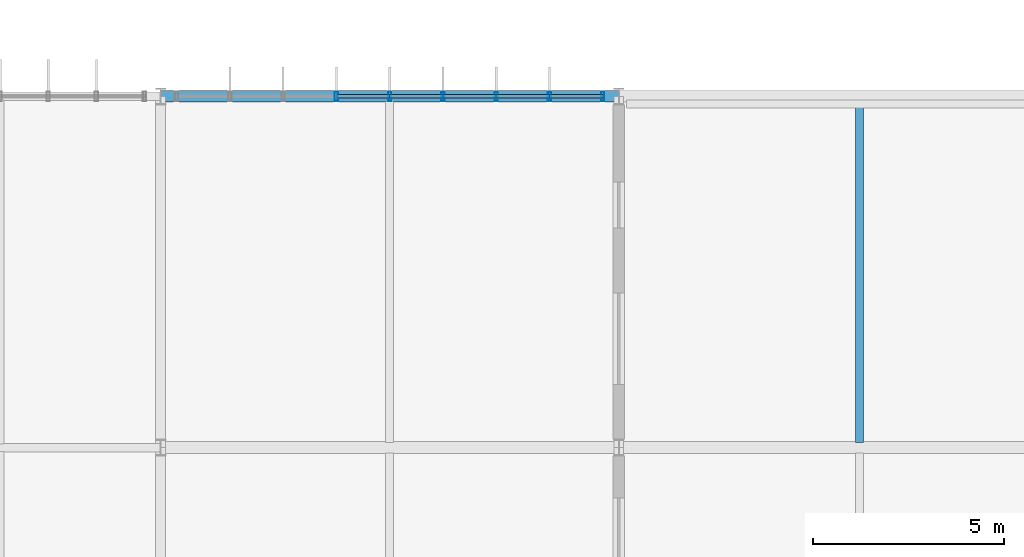
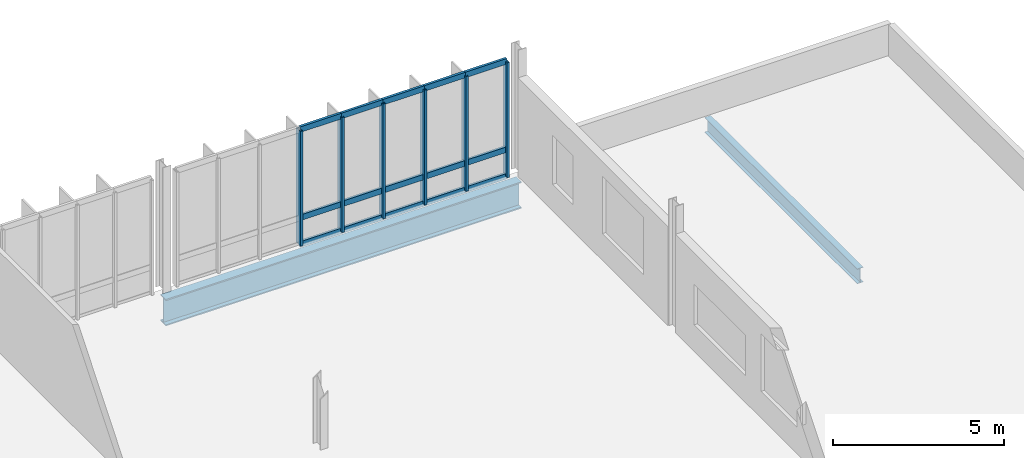
# One storey, part 81 of 139: 21 members, 2 beams, 1 element without a shape of its own.
"""IFC4 building model written with IfcOpenShell, lengths in metres."""

from ifc_helpers import new_model, si_unit, derived_unit, direction, frame, origin, origin_2d, place, context, subcontext, project, spatial, hollow_rectangle, i_section, extrude, material, layer, layer_set, material_profile, profile_set, type_object, element, aggregate, save


model = new_model("IFC4")

# Units and contexts
model_context = context("Model", 3, precision=1e-05, world=origin(), true_north=direction((0.0, 1.0)))
body_context = subcontext(model_context, "Body", "Model", "MODEL_VIEW")
ifc_project = project(units=[si_unit("LENGTHUNIT", "METRE"), si_unit("AREAUNIT", "SQUARE_METRE"), si_unit("VOLUMEUNIT", "CUBIC_METRE"), si_unit("PLANEANGLEUNIT", "RADIAN"), si_unit("MASSUNIT", "GRAM", prefix="KILO"), derived_unit("THERMALTRANSMITTANCEUNIT", [(si_unit("MASSUNIT", "GRAM", prefix="KILO"), 1), (si_unit("TIMEUNIT", "SECOND"), -3), (si_unit("THERMODYNAMICTEMPERATUREUNIT", "KELVIN"), -1)])], contexts=[model_context])

# Site, building, storey
site_placement = place(None, origin())
site = spatial("IfcSite", under=ifc_project, at=site_placement, CompositionType="ELEMENT")
building_placement = place(site_placement, origin())
building = spatial("IfcBuilding", under=site, at=building_placement, Name="Makaiwela Harbour Ferry Terminal", CompositionType="ELEMENT")
storey_placement = place(building_placement, frame((0.0, 0.0, 5.10009765625)))
storey = spatial("IfcBuildingStorey", under=building, at=storey_placement, Name="L01", CompositionType="ELEMENT", Elevation=5.10009765625)

# Curtain wall, members
ifc_material_1 = material(Name="Marine anodised aluminium 6063-T6", Category="aluminium")
ifc_layer = layer(ifc_material_1, 0.199951171875)
ifc_layer_set = layer_set([ifc_layer], Name="Marine anodised aluminium 6063-T6")
curtain_wall_type = type_object("IfcCurtainWallType", Name="ENV-CW-17", PredefinedType="USERDEFINED", material=ifc_layer_set)
curtain_wall_placement = place(storey_placement, origin())
curtain_wall = element("IfcCurtainWall", 1, at=curtain_wall_placement, inside=storey, type_object=curtain_wall_type, Name="Unitised Curtain Wall CWA-129", ObjectType="UNITIZED CURTAIN WALL", PredefinedType="USERDEFINED")
ifc_material_profile_1 = material_profile(ifc_material_1, hollow_rectangle(XDim=0.0849609375, YDim=0.25, WallThickness=0.0048828125, at=origin_2d()), Name="CWM-250X85")
ifc_profile_set_1 = profile_set([ifc_material_profile_1], Name="Marine anodised aluminium 6063-T6")
member_type_1 = type_object("IfcMemberType", Name="CW-MUL-250", PredefinedType="MULLION", material=ifc_profile_set_1)
member_1_placement = place(storey_placement, frame((160.0048828125, 95.0, 0.0), z_axis=(0.0, 0.0, 1.0), x_axis=(1.0, 0.0, 0.0)))
member_1 = element("IfcMember", 2, at=member_1_placement, type_object=member_type_1, Name="Curtain Wall Mullion CWA-129-4", PredefinedType="MULLION", context=body_context, shape_type="SweptSolid", body=[
    extrude(hollow_rectangle(XDim=0.0849609375, YDim=0.25, WallThickness=0.0048828125, at=origin_2d()), origin(), (0.0, 0.0, 1.0), 4.099853515625),
])
member_2_placement = place(storey_placement, frame((161.39990234375, 95.0, 0.0), z_axis=(0.0, 0.0, 1.0), x_axis=(1.0, 0.0, 0.0)))
member_2 = element("IfcMember", 3, at=member_2_placement, type_object=member_type_1, Name="Curtain Wall Mullion CWA-129-5", PredefinedType="MULLION", context=body_context, shape_type="SweptSolid", body=[
    extrude(hollow_rectangle(XDim=0.0849609375, YDim=0.25, WallThickness=0.0048828125, at=origin_2d()), origin(), (0.0, 0.0, 1.0), 4.099853515625),
])
member_3_placement = place(storey_placement, frame((162.794921875, 95.0, 0.0), z_axis=(0.0, 0.0, 1.0), x_axis=(1.0, 0.0, 0.0)))
member_3 = element("IfcMember", 4, at=member_3_placement, type_object=member_type_1, Name="Curtain Wall Mullion CWA-129-6", PredefinedType="MULLION", context=body_context, shape_type="SweptSolid", body=[
    extrude(hollow_rectangle(XDim=0.0849609375, YDim=0.25, WallThickness=0.0048828125, at=origin_2d()), origin(), (0.0, 0.0, 1.0), 4.099853515625),
])
member_4_placement = place(storey_placement, frame((164.18994140625, 95.0, 0.0), z_axis=(0.0, 0.0, 1.0), x_axis=(1.0, 0.0, 0.0)))
member_4 = element("IfcMember", 5, at=member_4_placement, type_object=member_type_1, Name="Curtain Wall Mullion CWA-129-7", PredefinedType="MULLION", context=body_context, shape_type="SweptSolid", body=[
    extrude(hollow_rectangle(XDim=0.0849609375, YDim=0.25, WallThickness=0.0048828125, at=origin_2d()), origin(), (0.0, 0.0, 1.0), 4.099853515625),
])
member_5_placement = place(storey_placement, frame((165.5849609375, 95.0, 0.0), z_axis=(0.0, 0.0, 1.0), x_axis=(1.0, 0.0, 0.0)))
member_5 = element("IfcMember", 6, at=member_5_placement, type_object=member_type_1, Name="Curtain Wall Mullion CWA-129-8", PredefinedType="MULLION", context=body_context, shape_type="SweptSolid", body=[
    extrude(hollow_rectangle(XDim=0.0849609375, YDim=0.25, WallThickness=0.0048828125, at=origin_2d()), origin(), (0.0, 0.0, 1.0), 4.099853515625),
])
member_6_placement = place(storey_placement, frame((166.97998046875, 95.0, 0.0), z_axis=(0.0, 0.0, 1.0), x_axis=(1.0, 0.0, 0.0)))
member_6 = element("IfcMember", 7, at=member_6_placement, type_object=member_type_1, Name="Curtain Wall Mullion CWA-129-9", PredefinedType="MULLION", context=body_context, shape_type="SweptSolid", body=[
    extrude(hollow_rectangle(XDim=0.0849609375, YDim=0.25, WallThickness=0.0048828125, at=origin_2d()), origin(), (0.0, 0.0, 1.0), 4.099853515625),
])
ifc_material_profile_2 = material_profile(ifc_material_1, hollow_rectangle(XDim=0.0849609375, YDim=0.199951171875, WallThickness=0.0048828125, at=origin_2d()), Name="CWT-200X85")
ifc_profile_set_2 = profile_set([ifc_material_profile_2], Name="Marine anodised aluminium 6063-T6")
member_type_2 = type_object("IfcMemberType", Name="CW-TRN-200", PredefinedType="USERDEFINED", material=ifc_profile_set_2)
member_7_placement = place(storey_placement, frame((160.0048828125, 95.0, 0.0), z_axis=(1.0, 0.0, 0.0), x_axis=(0.0, 1.0, 0.0)))
member_7 = element("IfcMember", 8, at=member_7_placement, type_object=member_type_2, Name="Curtain Wall Transom CWA-129-4-1", ObjectType="TRANSOM", PredefinedType="USERDEFINED", context=body_context, shape_type="SweptSolid", body=[
    extrude(hollow_rectangle(XDim=0.0849609375, YDim=0.199951171875, WallThickness=0.0048828125, at=origin_2d()), origin(), (0.0, 0.0, 1.0), 1.39501953125),
])
member_8_placement = place(storey_placement, frame((160.0048828125, 95.0, 0.949951171875), z_axis=(1.0, 0.0, 0.0), x_axis=(0.0, 1.0, 0.0)))
member_8 = element("IfcMember", 9, at=member_8_placement, type_object=member_type_2, Name="Curtain Wall Transom CWA-129-4-2", ObjectType="TRANSOM", PredefinedType="USERDEFINED", context=body_context, shape_type="SweptSolid", body=[
    extrude(hollow_rectangle(XDim=0.0849609375, YDim=0.199951171875, WallThickness=0.0048828125, at=origin_2d()), origin(), (0.0, 0.0, 1.0), 1.39501953125),
])
member_9_placement = place(storey_placement, frame((160.0048828125, 95.0, 4.099853515625), z_axis=(1.0, 0.0, 0.0), x_axis=(0.0, 1.0, 0.0)))
member_9 = element("IfcMember", 10, at=member_9_placement, type_object=member_type_2, Name="Curtain Wall Transom CWA-129-4-3", ObjectType="TRANSOM", PredefinedType="USERDEFINED", context=body_context, shape_type="SweptSolid", body=[
    extrude(hollow_rectangle(XDim=0.0849609375, YDim=0.199951171875, WallThickness=0.0048828125, at=origin_2d()), origin(), (0.0, 0.0, 1.0), 1.39501953125),
])
member_10_placement = place(storey_placement, frame((161.39990234375, 95.0, 0.0), z_axis=(1.0, 0.0, 0.0), x_axis=(0.0, 1.0, 0.0)))
member_10 = element("IfcMember", 11, at=member_10_placement, type_object=member_type_2, Name="Curtain Wall Transom CWA-129-5-1", ObjectType="TRANSOM", PredefinedType="USERDEFINED", context=body_context, shape_type="SweptSolid", body=[
    extrude(hollow_rectangle(XDim=0.0849609375, YDim=0.199951171875, WallThickness=0.0048828125, at=origin_2d()), origin(), (0.0, 0.0, 1.0), 1.39501953125),
])
member_11_placement = place(storey_placement, frame((161.39990234375, 95.0, 0.949951171875), z_axis=(1.0, 0.0, 0.0), x_axis=(0.0, 1.0, 0.0)))
member_11 = element("IfcMember", 12, at=member_11_placement, type_object=member_type_2, Name="Curtain Wall Transom CWA-129-5-2", ObjectType="TRANSOM", PredefinedType="USERDEFINED", context=body_context, shape_type="SweptSolid", body=[
    extrude(hollow_rectangle(XDim=0.0849609375, YDim=0.199951171875, WallThickness=0.0048828125, at=origin_2d()), origin(), (0.0, 0.0, 1.0), 1.39501953125),
])
member_12_placement = place(storey_placement, frame((161.39990234375, 95.0, 4.099853515625), z_axis=(1.0, 0.0, 0.0), x_axis=(0.0, 1.0, 0.0)))
member_12 = element("IfcMember", 13, at=member_12_placement, type_object=member_type_2, Name="Curtain Wall Transom CWA-129-5-3", ObjectType="TRANSOM", PredefinedType="USERDEFINED", context=body_context, shape_type="SweptSolid", body=[
    extrude(hollow_rectangle(XDim=0.0849609375, YDim=0.199951171875, WallThickness=0.0048828125, at=origin_2d()), origin(), (0.0, 0.0, 1.0), 1.39501953125),
])
member_13_placement = place(storey_placement, frame((162.794921875, 95.0, 0.0), z_axis=(1.0, 0.0, 0.0), x_axis=(0.0, 1.0, 0.0)))
member_13 = element("IfcMember", 14, at=member_13_placement, type_object=member_type_2, Name="Curtain Wall Transom CWA-129-6-1", ObjectType="TRANSOM", PredefinedType="USERDEFINED", context=body_context, shape_type="SweptSolid", body=[
    extrude(hollow_rectangle(XDim=0.0849609375, YDim=0.199951171875, WallThickness=0.0048828125, at=origin_2d()), origin(), (0.0, 0.0, 1.0), 1.39501953125),
])
member_14_placement = place(storey_placement, frame((162.794921875, 95.0, 0.949951171875), z_axis=(1.0, 0.0, 0.0), x_axis=(0.0, 1.0, 0.0)))
member_14 = element("IfcMember", 15, at=member_14_placement, type_object=member_type_2, Name="Curtain Wall Transom CWA-129-6-2", ObjectType="TRANSOM", PredefinedType="USERDEFINED", context=body_context, shape_type="SweptSolid", body=[
    extrude(hollow_rectangle(XDim=0.0849609375, YDim=0.199951171875, WallThickness=0.0048828125, at=origin_2d()), origin(), (0.0, 0.0, 1.0), 1.39501953125),
])
member_15_placement = place(storey_placement, frame((162.794921875, 95.0, 4.099853515625), z_axis=(1.0, 0.0, 0.0), x_axis=(0.0, 1.0, 0.0)))
member_15 = element("IfcMember", 16, at=member_15_placement, type_object=member_type_2, Name="Curtain Wall Transom CWA-129-6-3", ObjectType="TRANSOM", PredefinedType="USERDEFINED", context=body_context, shape_type="SweptSolid", body=[
    extrude(hollow_rectangle(XDim=0.0849609375, YDim=0.199951171875, WallThickness=0.0048828125, at=origin_2d()), origin(), (0.0, 0.0, 1.0), 1.39501953125),
])
member_16_placement = place(storey_placement, frame((164.18994140625, 95.0, 0.0), z_axis=(1.0, 0.0, 0.0), x_axis=(0.0, 1.0, 0.0)))
member_16 = element("IfcMember", 17, at=member_16_placement, type_object=member_type_2, Name="Curtain Wall Transom CWA-129-7-1", ObjectType="TRANSOM", PredefinedType="USERDEFINED", context=body_context, shape_type="SweptSolid", body=[
    extrude(hollow_rectangle(XDim=0.0849609375, YDim=0.199951171875, WallThickness=0.0048828125, at=origin_2d()), origin(), (0.0, 0.0, 1.0), 1.39501953125),
])
member_17_placement = place(storey_placement, frame((164.18994140625, 95.0, 0.949951171875), z_axis=(1.0, 0.0, 0.0), x_axis=(0.0, 1.0, 0.0)))
member_17 = element("IfcMember", 18, at=member_17_placement, type_object=member_type_2, Name="Curtain Wall Transom CWA-129-7-2", ObjectType="TRANSOM", PredefinedType="USERDEFINED", context=body_context, shape_type="SweptSolid", body=[
    extrude(hollow_rectangle(XDim=0.0849609375, YDim=0.199951171875, WallThickness=0.0048828125, at=origin_2d()), origin(), (0.0, 0.0, 1.0), 1.39501953125),
])
member_18_placement = place(storey_placement, frame((164.18994140625, 95.0, 4.099853515625), z_axis=(1.0, 0.0, 0.0), x_axis=(0.0, 1.0, 0.0)))
member_18 = element("IfcMember", 19, at=member_18_placement, type_object=member_type_2, Name="Curtain Wall Transom CWA-129-7-3", ObjectType="TRANSOM", PredefinedType="USERDEFINED", context=body_context, shape_type="SweptSolid", body=[
    extrude(hollow_rectangle(XDim=0.0849609375, YDim=0.199951171875, WallThickness=0.0048828125, at=origin_2d()), origin(), (0.0, 0.0, 1.0), 1.39501953125),
])
member_19_placement = place(storey_placement, frame((165.5849609375, 95.0, 0.0), z_axis=(1.0, 0.0, 0.0), x_axis=(0.0, 1.0, 0.0)))
member_19 = element("IfcMember", 20, at=member_19_placement, type_object=member_type_2, Name="Curtain Wall Transom CWA-129-8-1", ObjectType="TRANSOM", PredefinedType="USERDEFINED", context=body_context, shape_type="SweptSolid", body=[
    extrude(hollow_rectangle(XDim=0.0849609375, YDim=0.199951171875, WallThickness=0.0048828125, at=origin_2d()), origin(), (0.0, 0.0, 1.0), 1.39501953125),
])
member_20_placement = place(storey_placement, frame((165.5849609375, 95.0, 0.949951171875), z_axis=(1.0, 0.0, 0.0), x_axis=(0.0, 1.0, 0.0)))
member_20 = element("IfcMember", 21, at=member_20_placement, type_object=member_type_2, Name="Curtain Wall Transom CWA-129-8-2", ObjectType="TRANSOM", PredefinedType="USERDEFINED", context=body_context, shape_type="SweptSolid", body=[
    extrude(hollow_rectangle(XDim=0.0849609375, YDim=0.199951171875, WallThickness=0.0048828125, at=origin_2d()), origin(), (0.0, 0.0, 1.0), 1.39501953125),
])
member_21_placement = place(storey_placement, frame((165.5849609375, 95.0, 4.099853515625), z_axis=(1.0, 0.0, 0.0), x_axis=(0.0, 1.0, 0.0)))
member_21 = element("IfcMember", 22, at=member_21_placement, type_object=member_type_2, Name="Curtain Wall Transom CWA-129-8-3", ObjectType="TRANSOM", PredefinedType="USERDEFINED", context=body_context, shape_type="SweptSolid", body=[
    extrude(hollow_rectangle(XDim=0.0849609375, YDim=0.199951171875, WallThickness=0.0048828125, at=origin_2d()), origin(), (0.0, 0.0, 1.0), 1.39501953125),
])
aggregate(curtain_wall, [member_1, member_2, member_3, member_4, member_5, member_6, member_7, member_8, member_9, member_10, member_11, member_12, member_13, member_14, member_15, member_16, member_17, member_18, member_19, member_20, member_21])

# Beams
ifc_material_2 = material(Name="Steel ASTM A992 Grade 50", Category="steel")
ifc_material_profile_3 = material_profile(ifc_material_2, i_section(OverallWidth=0.2099609375, OverallDepth=0.537109375, WebThickness=0.010986328125, FlangeThickness=0.017333984375, at=origin_2d()), Name="W21X68")
ifc_profile_set_3 = profile_set([ifc_material_profile_3], Name="Steel ASTM A992 Grade 50")
beam_type_1 = type_object("IfcBeamType", Name="STR-BM-W21X68", PredefinedType="BEAM", material=ifc_profile_set_3)
beam_1_placement = place(storey_placement, frame((173.699951171875, 85.93701171875, -0.4287109375), z_axis=(0.0, 1.0, 0.0), x_axis=(-1.0, 0.0, 0.0)))
element("IfcBeam", 23, at=beam_1_placement, inside=storey, type_object=beam_type_1, Name="Secondary floor beam 1192", PredefinedType="BEAM", context=body_context, shape_type="SweptSolid", body=[
    extrude(i_section(OverallWidth=0.2099609375, OverallDepth=0.537109375, WebThickness=0.010986328125, FlangeThickness=0.017333984375, at=origin_2d()), origin(), (0.0, 0.0, 1.0), 8.926025390625),
])
ifc_material_profile_4 = material_profile(ifc_material_2, i_section(OverallWidth=0.31005859375, OverallDepth=0.949951171875, WebThickness=0.0244140625, FlangeThickness=0.0439453125, at=origin_2d()), Name="W36X256")
ifc_profile_set_4 = profile_set([ifc_material_profile_4], Name="Steel ASTM A992 Grade 50")
beam_type_2 = type_object("IfcBeamType", Name="STR-GRD-W36X256", PredefinedType="USERDEFINED", material=ifc_profile_set_4)
beam_2_placement = place(storey_placement, frame((155.39990234375, 95.0, -0.755126953125), z_axis=(1.0, 0.0, 0.0), x_axis=(0.0, 1.0, 0.0)))
element("IfcBeam", 24, at=beam_2_placement, inside=storey, type_object=beam_type_2, Name="Primary X girder 900", ObjectType="GIRDER", PredefinedType="USERDEFINED", context=body_context, shape_type="SweptSolid", body=[
    extrude(i_section(OverallWidth=0.31005859375, OverallDepth=0.949951171875, WebThickness=0.0244140625, FlangeThickness=0.0439453125, at=origin_2d()), origin(), (0.0, 0.0, 1.0), 12.0),
])

save(model, "model.ifc")
